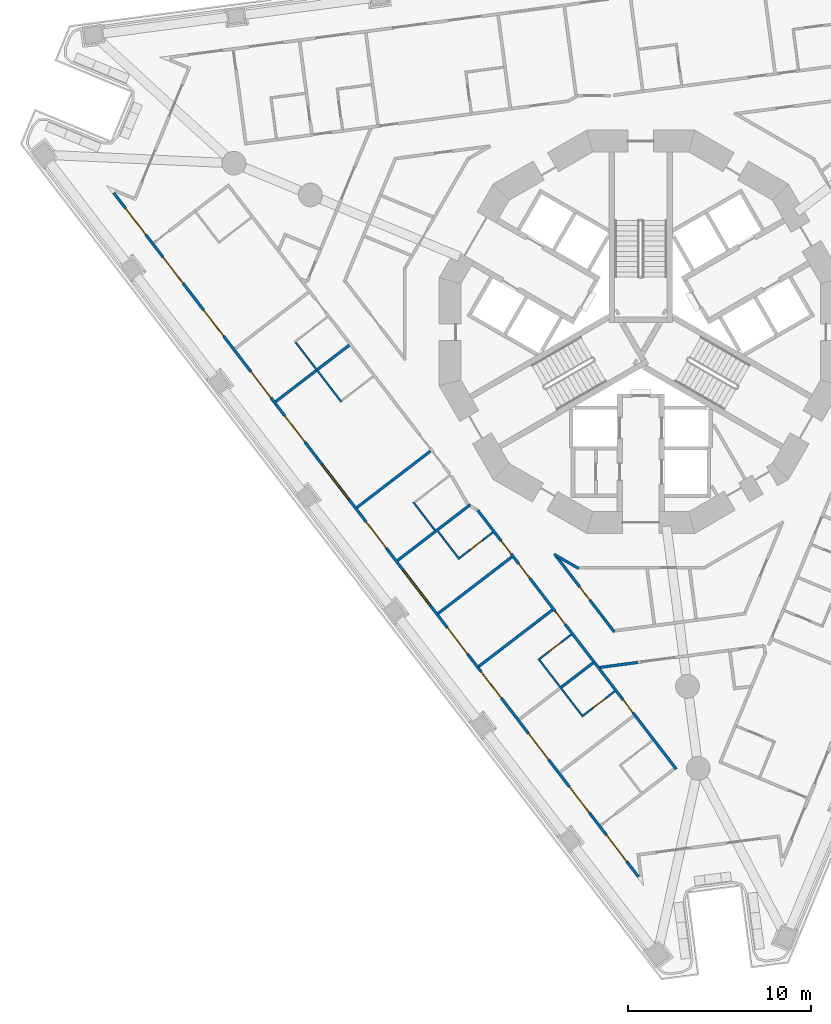
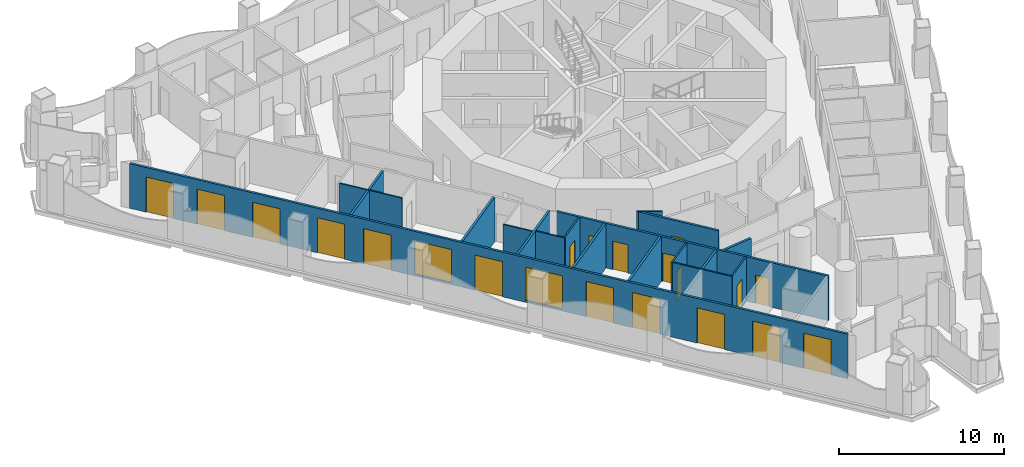
# One storey, part 2 of 19: 19 doors, 18 walls, 2 windows, 21 openings.
"""IFC4 building model written with IfcOpenShell, lengths in metres."""

from ifc_helpers import new_model, si_unit, direction, frame, frame_2d, origin, place, context, subcontext, project, spatial, polyline, rectangle, outline, extrude, material, layer, layer_set, type_object, element, fill, save


model = new_model("IFC4")

# Units and contexts
model_context = context("Model", 3, precision=1e-05, world=origin(), true_north=direction((0.0, 1.0)))
body_context = subcontext(model_context, "Body", "Model", "MODEL_VIEW")
ifc_project = project(units=[si_unit("LENGTHUNIT", "METRE"), si_unit("AREAUNIT", "SQUARE_METRE"), si_unit("VOLUMEUNIT", "CUBIC_METRE"), si_unit("PLANEANGLEUNIT", "RADIAN"), si_unit("MASSUNIT", "GRAM", prefix="KILO")], contexts=[model_context])

# Site, building, storey
site_placement = place(None, origin())
site = spatial("IfcSite", under=ifc_project, at=site_placement, CompositionType="ELEMENT")
building_placement = place(site_placement, origin())
building = spatial("IfcBuilding", under=site, at=building_placement, Name="Trine Commons Tower", CompositionType="ELEMENT")
storey_placement = place(building_placement, frame((0.0, 0.0, 72.0)))
storey = spatial("IfcBuildingStorey", under=building, at=storey_placement, Name="L17", CompositionType="ELEMENT", Elevation=72.0)

# Wall, openings, windows, doors
ifc_material_1 = material(Name="Aluminium-framed insulated wall panel", Category="aluminium")
ifc_layer_1 = layer(ifc_material_1, 0.14990234375)
ifc_layer_set_1 = layer_set([ifc_layer_1], Name="Aluminium-framed insulated wall panel")
wall_type_1 = type_object("IfcWallType", Name="Glazed frame wall 150, EI 60", PredefinedType="SOLIDWALL", material=ifc_layer_set_1)
wall_1_placement = place(storey_placement, frame((79.968994140625, 32.624267578125, 0.0), z_axis=(0.0, 0.0, 1.0), x_axis=(-0.608761526367, 0.793353265585, 0.0)))
wall_1 = element("IfcWall", 1, at=wall_1_placement, inside=storey, type_object=wall_type_1, Name="Glazed frame wall F3", PredefinedType="SOLIDWALL", context=body_context, shape_type="SweptSolid", body=[
    extrude(outline(polyline([(0.1494140625, 0.074951171875), (0.1494140625, -0.074951171875), (47.216796875, -0.074951171875), (47.216796875, 0.074951171875), (0.1494140625, 0.074951171875)])), origin(), (0.0, 0.0, 1.0), 3.300048828125),
])
opening_1_placement = place(wall_1_placement, frame((1.2216796875, 0.0, 0.0)))
opening_1 = element("IfcOpeningElement", 2, at=opening_1_placement, cuts=wall_1, Name="Opening BD-2F3-01", PredefinedType="OPENING", context=body_context, shape_type="SweptSolid", body=[
    extrude(rectangle(XDim=1.800048828125, YDim=2.60009765625, at=frame_2d((0.89990234375, 1.300048828125))), frame((0.0, 0.0849609375, 0.0), z_axis=(0.0, -1.0, 0.0), x_axis=(1.0, 0.0, 0.0)), (0.0, 0.0, 1.0), 0.169921875),
])
opening_2_placement = place(wall_1_placement, frame((4.5654296875, 0.0, 0.0)))
opening_2 = element("IfcOpeningElement", 3, at=opening_2_placement, cuts=wall_1, Name="Opening BD-2F3-02", PredefinedType="OPENING", context=body_context, shape_type="SweptSolid", body=[
    extrude(rectangle(XDim=1.800048828125, YDim=2.60009765625, at=frame_2d((0.89990234375, 1.300048828125))), frame((0.0, 0.0849609375, 0.0), z_axis=(0.0, -1.0, 0.0), x_axis=(1.0, 0.0, 0.0)), (0.0, 0.0, 1.0), 0.169921875),
])
opening_3_placement = place(wall_1_placement, frame((8.208984375, 0.0, 0.0)))
opening_3 = element("IfcOpeningElement", 4, at=opening_3_placement, cuts=wall_1, Name="Opening BD-2F3-03", PredefinedType="OPENING", context=body_context, shape_type="SweptSolid", body=[
    extrude(rectangle(XDim=1.800048828125, YDim=2.60009765625, at=frame_2d((0.89990234375, 1.300048828125))), frame((0.0, 0.0849609375, 0.0), z_axis=(0.0, -1.0, 0.0), x_axis=(1.0, 0.0, 0.0)), (0.0, 0.0, 1.0), 0.169921875),
])
opening_4_placement = place(wall_1_placement, frame((12.45263671875, 0.0, 0.0)))
opening_4 = element("IfcOpeningElement", 5, at=opening_4_placement, cuts=wall_1, Name="Opening BD-2F3-04", PredefinedType="OPENING", context=body_context, shape_type="SweptSolid", body=[
    extrude(rectangle(XDim=1.800048828125, YDim=2.60009765625, at=frame_2d((0.89990234375, 1.300048828125))), frame((0.0, 0.0849609375, 0.0), z_axis=(0.0, -1.0, 0.0), x_axis=(1.0, 0.0, 0.0)), (0.0, 0.0, 1.0), 0.169921875),
])
opening_5_placement = place(wall_1_placement, frame((15.49609375, 0.0, 0.0)))
opening_5 = element("IfcOpeningElement", 6, at=opening_5_placement, cuts=wall_1, Name="Opening BD-2F3-05", PredefinedType="OPENING", context=body_context, shape_type="SweptSolid", body=[
    extrude(rectangle(XDim=1.800048828125, YDim=2.60009765625, at=frame_2d((0.89990234375, 1.300048828125))), frame((0.0, 0.0849609375, 0.0), z_axis=(0.0, -1.0, 0.0), x_axis=(1.0, 0.0, 0.0)), (0.0, 0.0, 1.0), 0.169921875),
])
opening_6_placement = place(wall_1_placement, frame((18.83984375, 0.0, 0.14990234375)))
opening_6 = element("IfcOpeningElement", 7, at=opening_6_placement, cuts=wall_1, Name="Opening W-2F3-06", PredefinedType="OPENING", context=body_context, shape_type="SweptSolid", body=[
    extrude(rectangle(XDim=2.39990234375, YDim=2.449951171875, at=frame_2d((1.199951171875, 1.22509765625))), frame((0.0, 0.0849609375, 0.0), z_axis=(0.0, -1.0, 0.0), x_axis=(1.0, 0.0, 0.0)), (0.0, 0.0, 1.0), 0.169921875),
])
opening_7_placement = place(wall_1_placement, frame((22.783447265625, 0.0, 0.0)))
opening_7 = element("IfcOpeningElement", 8, at=opening_7_placement, cuts=wall_1, Name="Opening BD-2F3-07", PredefinedType="OPENING", context=body_context, shape_type="SweptSolid", body=[
    extrude(rectangle(XDim=1.800048828125, YDim=2.60009765625, at=frame_2d((0.89990234375, 1.300048828125))), frame((0.0, 0.0849609375, 0.0), z_axis=(0.0, -1.0, 0.0), x_axis=(1.0, 0.0, 0.0)), (0.0, 0.0, 1.0), 0.169921875),
])
opening_8_placement = place(wall_1_placement, frame((26.126953125, 0.0, 0.14990234375)))
opening_8 = element("IfcOpeningElement", 9, at=opening_8_placement, cuts=wall_1, Name="Opening W-2F3-08", PredefinedType="OPENING", context=body_context, shape_type="SweptSolid", body=[
    extrude(rectangle(XDim=2.39990234375, YDim=2.449951171875, at=frame_2d((1.199951171875, 1.22509765625))), frame((0.0, 0.0849609375, 0.0), z_axis=(0.0, -1.0, 0.0), x_axis=(1.0, 0.0, 0.0)), (0.0, 0.0, 1.0), 0.169921875),
])
opening_9_placement = place(wall_1_placement, frame((30.070556640625, 0.0, 0.0)))
opening_9 = element("IfcOpeningElement", 10, at=opening_9_placement, cuts=wall_1, Name="Opening BD-2F3-09", PredefinedType="OPENING", context=body_context, shape_type="SweptSolid", body=[
    extrude(rectangle(XDim=1.800048828125, YDim=2.60009765625, at=frame_2d((0.89990234375, 1.300048828125))), frame((0.0, 0.0849609375, 0.0), z_axis=(0.0, -1.0, 0.0), x_axis=(1.0, 0.0, 0.0)), (0.0, 0.0, 1.0), 0.169921875),
])
opening_10_placement = place(wall_1_placement, frame((33.1142578125, 0.0, 0.0)))
opening_10 = element("IfcOpeningElement", 11, at=opening_10_placement, cuts=wall_1, Name="Opening BD-2F3-10", PredefinedType="OPENING", context=body_context, shape_type="SweptSolid", body=[
    extrude(rectangle(XDim=1.800048828125, YDim=2.60009765625, at=frame_2d((0.89990234375, 1.300048828125))), frame((0.0, 0.0849609375, 0.0), z_axis=(0.0, -1.0, 0.0), x_axis=(1.0, 0.0, 0.0)), (0.0, 0.0, 1.0), 0.169921875),
])
opening_11_placement = place(wall_1_placement, frame((37.35791015625, 0.0, 0.0)))
opening_11 = element("IfcOpeningElement", 12, at=opening_11_placement, cuts=wall_1, Name="Opening BD-2F3-11", PredefinedType="OPENING", context=body_context, shape_type="SweptSolid", body=[
    extrude(rectangle(XDim=1.800048828125, YDim=2.60009765625, at=frame_2d((0.89990234375, 1.300048828125))), frame((0.0, 0.0849609375, 0.0), z_axis=(0.0, -1.0, 0.0), x_axis=(1.0, 0.0, 0.0)), (0.0, 0.0, 1.0), 0.169921875),
])
opening_12_placement = place(wall_1_placement, frame((41.00146484375, 0.0, 0.0)))
opening_12 = element("IfcOpeningElement", 13, at=opening_12_placement, cuts=wall_1, Name="Opening BD-2F3-12", PredefinedType="OPENING", context=body_context, shape_type="SweptSolid", body=[
    extrude(rectangle(XDim=1.800048828125, YDim=2.60009765625, at=frame_2d((0.89990234375, 1.300048828125))), frame((0.0, 0.0849609375, 0.0), z_axis=(0.0, -1.0, 0.0), x_axis=(1.0, 0.0, 0.0)), (0.0, 0.0, 1.0), 0.169921875),
])
opening_13_placement = place(wall_1_placement, frame((44.344970703125, 0.0, 0.0)))
opening_13 = element("IfcOpeningElement", 14, at=opening_13_placement, cuts=wall_1, Name="Opening BD-2F3-13", PredefinedType="OPENING", context=body_context, shape_type="SweptSolid", body=[
    extrude(rectangle(XDim=1.800048828125, YDim=2.60009765625, at=frame_2d((0.89990234375, 1.300048828125))), frame((0.0, 0.0849609375, 0.0), z_axis=(0.0, -1.0, 0.0), x_axis=(1.0, 0.0, 0.0)), (0.0, 0.0, 1.0), 0.169921875),
])
ifc_material_2 = material(Name="Anodised aluminium frame with double glazing", Category="aluminium")
window_type = type_object("IfcWindowType", Name="Fixed window 2400x2450", PartitioningType="SINGLE_PANEL", PredefinedType="WINDOW", material=ifc_material_2)
window_1_placement = place(opening_6_placement, origin())
window_1 = element("IfcWindow", 15, at=window_1_placement, inside=storey, type_object=window_type, Name="Window F3 6", OverallHeight=2.449951171875, OverallWidth=2.39990234375, PartitioningType="SINGLE_PANEL", PredefinedType="WINDOW", context=body_context, shape_type="SweptSolid", body=[
    extrude(rectangle(XDim=2.39990234375, YDim=2.449951171875, at=frame_2d((1.199951171875, 1.22509765625))), frame((0.0, 0.030029296875, 0.0), z_axis=(0.0, -1.0, 0.0), x_axis=(1.0, 0.0, 0.0)), (0.0, 0.0, 1.0), 0.06005859375),
])
fill(opening_6, window_1)
window_2_placement = place(opening_8_placement, origin())
window_2 = element("IfcWindow", 16, at=window_2_placement, inside=storey, type_object=window_type, Name="Window F3 8", OverallHeight=2.449951171875, OverallWidth=2.39990234375, PartitioningType="SINGLE_PANEL", PredefinedType="WINDOW", context=body_context, shape_type="SweptSolid", body=[
    extrude(rectangle(XDim=2.39990234375, YDim=2.449951171875, at=frame_2d((1.199951171875, 1.22509765625))), frame((0.0, 0.030029296875, 0.0), z_axis=(0.0, -1.0, 0.0), x_axis=(1.0, 0.0, 0.0)), (0.0, 0.0, 1.0), 0.06005859375),
])
fill(opening_8, window_2)
door_type_1 = type_object("IfcDoorType", Name="Sliding loggia door 1800x2600", OperationType="SLIDING_TO_LEFT", PredefinedType="DOOR", material=ifc_material_2)
door_1_placement = place(opening_1_placement, origin())
door_1 = element("IfcDoor", 17, at=door_1_placement, inside=storey, type_object=door_type_1, Name="Loggia door F3 1", OperationType="SLIDING_TO_LEFT", OverallHeight=2.60009765625, OverallWidth=1.800048828125, PredefinedType="DOOR", context=body_context, shape_type="SweptSolid", body=[
    extrude(rectangle(XDim=1.800048828125, YDim=2.60009765625, at=frame_2d((0.89990234375, 1.300048828125))), frame((0.0, 0.02490234375, 0.0), z_axis=(0.0, -1.0, 0.0), x_axis=(1.0, 0.0, 0.0)), (0.0, 0.0, 1.0), 0.050048828125),
])
fill(opening_1, door_1)
door_2_placement = place(opening_2_placement, origin())
door_2 = element("IfcDoor", 18, at=door_2_placement, inside=storey, type_object=door_type_1, Name="Loggia door F3 2", OperationType="SLIDING_TO_LEFT", OverallHeight=2.60009765625, OverallWidth=1.800048828125, PredefinedType="DOOR", context=body_context, shape_type="SweptSolid", body=[
    extrude(rectangle(XDim=1.800048828125, YDim=2.60009765625, at=frame_2d((0.89990234375, 1.300048828125))), frame((0.0, 0.02490234375, 0.0), z_axis=(0.0, -1.0, 0.0), x_axis=(1.0, 0.0, 0.0)), (0.0, 0.0, 1.0), 0.050048828125),
])
fill(opening_2, door_2)
door_3_placement = place(opening_3_placement, origin())
door_3 = element("IfcDoor", 19, at=door_3_placement, inside=storey, type_object=door_type_1, Name="Loggia door F3 3", OperationType="SLIDING_TO_LEFT", OverallHeight=2.60009765625, OverallWidth=1.800048828125, PredefinedType="DOOR", context=body_context, shape_type="SweptSolid", body=[
    extrude(rectangle(XDim=1.800048828125, YDim=2.60009765625, at=frame_2d((0.89990234375, 1.300048828125))), frame((0.0, 0.02490234375, 0.0), z_axis=(0.0, -1.0, 0.0), x_axis=(1.0, 0.0, 0.0)), (0.0, 0.0, 1.0), 0.050048828125),
])
fill(opening_3, door_3)
door_4_placement = place(opening_4_placement, origin())
door_4 = element("IfcDoor", 20, at=door_4_placement, inside=storey, type_object=door_type_1, Name="Loggia door F3 4", OperationType="SLIDING_TO_LEFT", OverallHeight=2.60009765625, OverallWidth=1.800048828125, PredefinedType="DOOR", context=body_context, shape_type="SweptSolid", body=[
    extrude(rectangle(XDim=1.800048828125, YDim=2.60009765625, at=frame_2d((0.89990234375, 1.300048828125))), frame((0.0, 0.02490234375, 0.0), z_axis=(0.0, -1.0, 0.0), x_axis=(1.0, 0.0, 0.0)), (0.0, 0.0, 1.0), 0.050048828125),
])
fill(opening_4, door_4)
door_5_placement = place(opening_5_placement, origin())
door_5 = element("IfcDoor", 21, at=door_5_placement, inside=storey, type_object=door_type_1, Name="Loggia door F3 5", OperationType="SLIDING_TO_LEFT", OverallHeight=2.60009765625, OverallWidth=1.800048828125, PredefinedType="DOOR", context=body_context, shape_type="SweptSolid", body=[
    extrude(rectangle(XDim=1.800048828125, YDim=2.60009765625, at=frame_2d((0.89990234375, 1.300048828125))), frame((0.0, 0.02490234375, 0.0), z_axis=(0.0, -1.0, 0.0), x_axis=(1.0, 0.0, 0.0)), (0.0, 0.0, 1.0), 0.050048828125),
])
fill(opening_5, door_5)
door_6_placement = place(opening_7_placement, origin())
door_6 = element("IfcDoor", 22, at=door_6_placement, inside=storey, type_object=door_type_1, Name="Loggia door F3 7", OperationType="SLIDING_TO_LEFT", OverallHeight=2.60009765625, OverallWidth=1.800048828125, PredefinedType="DOOR", context=body_context, shape_type="SweptSolid", body=[
    extrude(rectangle(XDim=1.800048828125, YDim=2.60009765625, at=frame_2d((0.89990234375, 1.300048828125))), frame((0.0, 0.02490234375, 0.0), z_axis=(0.0, -1.0, 0.0), x_axis=(1.0, 0.0, 0.0)), (0.0, 0.0, 1.0), 0.050048828125),
])
fill(opening_7, door_6)
door_7_placement = place(opening_9_placement, origin())
door_7 = element("IfcDoor", 23, at=door_7_placement, inside=storey, type_object=door_type_1, Name="Loggia door F3 9", OperationType="SLIDING_TO_LEFT", OverallHeight=2.60009765625, OverallWidth=1.800048828125, PredefinedType="DOOR", context=body_context, shape_type="SweptSolid", body=[
    extrude(rectangle(XDim=1.800048828125, YDim=2.60009765625, at=frame_2d((0.89990234375, 1.300048828125))), frame((0.0, 0.02490234375, 0.0), z_axis=(0.0, -1.0, 0.0), x_axis=(1.0, 0.0, 0.0)), (0.0, 0.0, 1.0), 0.050048828125),
])
fill(opening_9, door_7)
door_8_placement = place(opening_10_placement, origin())
door_8 = element("IfcDoor", 24, at=door_8_placement, inside=storey, type_object=door_type_1, Name="Loggia door F3 10", OperationType="SLIDING_TO_LEFT", OverallHeight=2.60009765625, OverallWidth=1.800048828125, PredefinedType="DOOR", context=body_context, shape_type="SweptSolid", body=[
    extrude(rectangle(XDim=1.800048828125, YDim=2.60009765625, at=frame_2d((0.89990234375, 1.300048828125))), frame((0.0, 0.02490234375, 0.0), z_axis=(0.0, -1.0, 0.0), x_axis=(1.0, 0.0, 0.0)), (0.0, 0.0, 1.0), 0.050048828125),
])
fill(opening_10, door_8)
door_9_placement = place(opening_11_placement, origin())
door_9 = element("IfcDoor", 25, at=door_9_placement, inside=storey, type_object=door_type_1, Name="Loggia door F3 11", OperationType="SLIDING_TO_LEFT", OverallHeight=2.60009765625, OverallWidth=1.800048828125, PredefinedType="DOOR", context=body_context, shape_type="SweptSolid", body=[
    extrude(rectangle(XDim=1.800048828125, YDim=2.60009765625, at=frame_2d((0.89990234375, 1.300048828125))), frame((0.0, 0.02490234375, 0.0), z_axis=(0.0, -1.0, 0.0), x_axis=(1.0, 0.0, 0.0)), (0.0, 0.0, 1.0), 0.050048828125),
])
fill(opening_11, door_9)
door_10_placement = place(opening_12_placement, origin())
door_10 = element("IfcDoor", 26, at=door_10_placement, inside=storey, type_object=door_type_1, Name="Loggia door F3 12", OperationType="SLIDING_TO_LEFT", OverallHeight=2.60009765625, OverallWidth=1.800048828125, PredefinedType="DOOR", context=body_context, shape_type="SweptSolid", body=[
    extrude(rectangle(XDim=1.800048828125, YDim=2.60009765625, at=frame_2d((0.89990234375, 1.300048828125))), frame((0.0, 0.02490234375, 0.0), z_axis=(0.0, -1.0, 0.0), x_axis=(1.0, 0.0, 0.0)), (0.0, 0.0, 1.0), 0.050048828125),
])
fill(opening_12, door_10)
door_11_placement = place(opening_13_placement, origin())
door_11 = element("IfcDoor", 27, at=door_11_placement, inside=storey, type_object=door_type_1, Name="Loggia door F3 13", OperationType="SLIDING_TO_LEFT", OverallHeight=2.60009765625, OverallWidth=1.800048828125, PredefinedType="DOOR", context=body_context, shape_type="SweptSolid", body=[
    extrude(rectangle(XDim=1.800048828125, YDim=2.60009765625, at=frame_2d((0.89990234375, 1.300048828125))), frame((0.0, 0.02490234375, 0.0), z_axis=(0.0, -1.0, 0.0), x_axis=(1.0, 0.0, 0.0)), (0.0, 0.0, 1.0), 0.050048828125),
])
fill(opening_13, door_11)

# Walls
ifc_material_3 = material(Name="Gypsum plasterboard on steel stud", Category="steel")
ifc_layer_2 = layer(ifc_material_3, 0.14990234375)
ifc_layer_set_2 = layer_set([ifc_layer_2], Name="Gypsum plasterboard on steel stud")
wall_type_2 = type_object("IfcWallType", Name="Unit and corridor wall 150 mm, EI 60", PredefinedType="PARTITIONING", material=ifc_layer_set_2)
wall_2_placement = place(storey_placement, frame((60.065673828125, 58.686279296875, 0.0), z_axis=(0.0, 0.0, 1.0), x_axis=(0.793444149255, 0.608643066184, 0.0)))
element("IfcWall", 28, at=wall_2_placement, inside=storey, type_object=wall_type_2, Name="Partition 011", PredefinedType="PARTITIONING", context=body_context, shape_type="SweptSolid", body=[
    extrude(rectangle(XDim=5.063720703125, YDim=0.14990234375, at=frame_2d((2.53173828125, 0.0))), origin(), (0.0, 0.0, 1.0), 3.300048828125),
])
wall_3_placement = place(storey_placement, frame((64.501708984375, 52.904296875, 0.0), z_axis=(0.0, 0.0, 1.0), x_axis=(0.793351017656, 0.608764455913, 0.0)))
element("IfcWall", 29, at=wall_3_placement, inside=storey, type_object=wall_type_2, Name="Partition 030", PredefinedType="PARTITIONING", context=body_context, shape_type="SweptSolid", body=[
    extrude(rectangle(XDim=5.064453125, YDim=0.14990234375, at=frame_2d((2.5322265625, 0.0))), origin(), (0.0, 0.0, 1.0), 3.300048828125),
])
wall_4_placement = place(storey_placement, frame((66.7197265625, 50.014404296875, 0.0), z_axis=(0.0, 0.0, 1.0), x_axis=(0.793383103562, 0.608722638796, 0.0)))
element("IfcWall", 30, at=wall_4_placement, inside=storey, type_object=wall_type_2, Name="Partition 038", PredefinedType="PARTITIONING", context=body_context, shape_type="SweptSolid", body=[
    extrude(rectangle(XDim=5.017333984375, YDim=0.14990234375, at=frame_2d((2.5087890625, 0.0))), origin(), (0.0, 0.0, 1.0), 3.300048828125),
])
wall_5_placement = place(storey_placement, frame((68.937744140625, 47.123291015625, 0.0), z_axis=(0.0, 0.0, 1.0), x_axis=(0.793351017656, 0.608764455913, 0.0)))
element("IfcWall", 31, at=wall_5_placement, inside=storey, type_object=wall_type_2, Name="Partition 046", PredefinedType="PARTITIONING", context=body_context, shape_type="SweptSolid", body=[
    extrude(rectangle(XDim=5.064453125, YDim=0.14990234375, at=frame_2d((2.5322265625, 0.0))), origin(), (0.0, 0.0, 1.0), 3.300048828125),
])

# Wall, openings, doors
wall_6_placement = place(storey_placement, frame((71.087890625, 52.76611328125, 0.0), z_axis=(0.0, 0.0, 1.0), x_axis=(0.608663951432, -0.793428127953, 0.0)))
wall_6 = element("IfcWall", 32, at=wall_6_placement, inside=storey, type_object=wall_type_2, Name="Partition 054", PredefinedType="PARTITIONING", context=body_context, shape_type="SweptSolid", body=[
    extrude(rectangle(XDim=17.8173828125, YDim=0.14990234375, at=frame_2d((8.90869140625, 0.0))), origin(), (0.0, 0.0, 1.0), 3.300048828125),
])
opening_14_placement = place(wall_6_placement, frame((13.048095703125, 0.0, 0.0)))
opening_14 = element("IfcOpeningElement", 33, at=opening_14_placement, cuts=wall_6, Name="Opening D-2C25", PredefinedType="OPENING", context=body_context, shape_type="SweptSolid", body=[
    extrude(rectangle(XDim=0.89990234375, YDim=2.10009765625, at=frame_2d((0.449951171875, 1.050048828125))), frame((0.0, 0.0849609375, 0.0), z_axis=(0.0, -1.0, 0.0), x_axis=(1.0, 0.0, 0.0)), (0.0, 0.0, 1.0), 0.169921875),
])
opening_15_placement = place(wall_6_placement, frame((6.96142578125, 0.0, 0.0)))
opening_15 = element("IfcOpeningElement", 34, at=opening_15_placement, cuts=wall_6, Name="Opening D-2C26", PredefinedType="OPENING", context=body_context, shape_type="SweptSolid", body=[
    extrude(rectangle(XDim=0.89990234375, YDim=2.10009765625, at=frame_2d((0.449951171875, 1.050048828125))), frame((0.0, 0.0849609375, 0.0), z_axis=(0.0, -1.0, 0.0), x_axis=(1.0, 0.0, 0.0)), (0.0, 0.0, 1.0), 0.169921875),
])
opening_16_placement = place(wall_6_placement, frame((3.68603515625, 0.0, 0.0)))
opening_16 = element("IfcOpeningElement", 35, at=opening_16_placement, cuts=wall_6, Name="Opening D-2C27", PredefinedType="OPENING", context=body_context, shape_type="SweptSolid", body=[
    extrude(rectangle(XDim=1.0, YDim=2.10009765625, at=frame_2d((0.5, 1.050048828125))), frame((0.0, 0.0849609375, 0.0), z_axis=(0.0, -1.0, 0.0), x_axis=(1.0, 0.0, 0.0)), (0.0, 0.0, 1.0), 0.169921875),
])
opening_17_placement = place(wall_6_placement, frame((2.11767578125, 0.0, 0.0)))
opening_17 = element("IfcOpeningElement", 36, at=opening_17_placement, cuts=wall_6, Name="Opening D-2C28", PredefinedType="OPENING", context=body_context, shape_type="SweptSolid", body=[
    extrude(rectangle(XDim=0.89990234375, YDim=2.10009765625, at=frame_2d((0.449951171875, 1.050048828125))), frame((0.0, 0.0849609375, 0.0), z_axis=(0.0, -1.0, 0.0), x_axis=(1.0, 0.0, 0.0)), (0.0, 0.0, 1.0), 0.169921875),
])
ifc_material_4 = material(Name="Painted timber", Category="wood")
door_type_2 = type_object("IfcDoorType", Name="Amenity room door 1000 x 2100, NOT RATED", OperationType="NOTDEFINED", PredefinedType="DOOR", material=ifc_material_4)
door_12_placement = place(opening_16_placement, frame((1.0, 0.0, 0.0), z_axis=(0.0, 0.0, 1.0), x_axis=(-1.0, 0.0, 0.0)))
door_12 = element("IfcDoor", 37, at=door_12_placement, inside=storey, type_object=door_type_2, Name="Door D-2C27", OperationType="SINGLE_SWING_RIGHT", OverallHeight=2.10009765625, OverallWidth=1.0, PredefinedType="DOOR", context=body_context, shape_type="SweptSolid", body=[
    extrude(rectangle(XDim=1.0, YDim=2.10009765625, at=frame_2d((0.5, 1.050048828125))), frame((0.0, 0.02490234375, 0.0), z_axis=(0.0, -1.0, 0.0), x_axis=(1.0, 0.0, 0.0)), (0.0, 0.0, 1.0), 0.050048828125),
])
fill(opening_16, door_12)
ifc_material_5 = material(Name="Timber fire door set", Category="wood")
door_type_3 = type_object("IfcDoorType", Name="Bedroom door 900 x 2100, FD30S", OperationType="NOTDEFINED", PredefinedType="DOOR", material=ifc_material_5)
door_13_placement = place(opening_14_placement, frame((0.89990234375, 0.0, 0.0), z_axis=(0.0, 0.0, 1.0), x_axis=(-1.0, 0.0, 0.0)))
door_13 = element("IfcDoor", 38, at=door_13_placement, inside=storey, type_object=door_type_3, Name="Door D-2C25", OperationType="SINGLE_SWING_LEFT", OverallHeight=2.10009765625, OverallWidth=0.89990234375, PredefinedType="DOOR", context=body_context, shape_type="SweptSolid", body=[
    extrude(rectangle(XDim=0.89990234375, YDim=2.10009765625, at=frame_2d((0.449951171875, 1.050048828125))), frame((0.0, 0.02490234375, 0.0), z_axis=(0.0, -1.0, 0.0), x_axis=(1.0, 0.0, 0.0)), (0.0, 0.0, 1.0), 0.050048828125),
])
fill(opening_14, door_13)
door_14_placement = place(opening_15_placement, frame((0.89990234375, 0.0, 0.0), z_axis=(0.0, 0.0, 1.0), x_axis=(-1.0, 0.0, 0.0)))
door_14 = element("IfcDoor", 39, at=door_14_placement, inside=storey, type_object=door_type_3, Name="Door D-2C26", OperationType="SINGLE_SWING_RIGHT", OverallHeight=2.10009765625, OverallWidth=0.89990234375, PredefinedType="DOOR", context=body_context, shape_type="SweptSolid", body=[
    extrude(rectangle(XDim=0.89990234375, YDim=2.10009765625, at=frame_2d((0.449951171875, 1.050048828125))), frame((0.0, 0.02490234375, 0.0), z_axis=(0.0, -1.0, 0.0), x_axis=(1.0, 0.0, 0.0)), (0.0, 0.0, 1.0), 0.050048828125),
])
fill(opening_15, door_14)
door_15_placement = place(opening_17_placement, frame((0.89990234375, 0.0, 0.0), z_axis=(0.0, 0.0, 1.0), x_axis=(-1.0, 0.0, 0.0)))
door_15 = element("IfcDoor", 40, at=door_15_placement, inside=storey, type_object=door_type_3, Name="Door D-2C28", OperationType="SINGLE_SWING_RIGHT", OverallHeight=2.10009765625, OverallWidth=0.89990234375, PredefinedType="DOOR", context=body_context, shape_type="SweptSolid", body=[
    extrude(rectangle(XDim=0.89990234375, YDim=2.10009765625, at=frame_2d((0.449951171875, 1.050048828125))), frame((0.0, 0.02490234375, 0.0), z_axis=(0.0, -1.0, 0.0), x_axis=(1.0, 0.0, 0.0)), (0.0, 0.0, 1.0), 0.050048828125),
])
fill(opening_17, door_15)

# Walls
wall_7_placement = place(storey_placement, frame((71.15576171875, 44.232421875, 0.0), z_axis=(0.0, 0.0, 1.0), x_axis=(0.793374300247, 0.608734112488, 0.0)))
element("IfcWall", 41, at=wall_7_placement, inside=storey, type_object=wall_type_2, Name="Partition 055", PredefinedType="PARTITIONING", context=body_context, shape_type="SweptSolid", body=[
    extrude(rectangle(XDim=5.064208984375, YDim=0.14990234375, at=frame_2d((2.5322265625, 0.0))), origin(), (0.0, 0.0, 1.0), 3.300048828125),
])
wall_8_placement = place(storey_placement, frame((75.260986328125, 50.35546875, 0.0), z_axis=(0.0, 0.0, 1.0), x_axis=(0.866029224906, -0.499993381564, 0.0)))
element("IfcWall", 42, at=wall_8_placement, inside=storey, type_object=wall_type_2, Name="Partition 062", PredefinedType="PARTITIONING", context=body_context, shape_type="SweptSolid", body=[
    extrude(rectangle(XDim=1.56005859375, YDim=0.14990234375, at=frame_2d((0.780029296875, 0.0))), origin(), (0.0, 0.0, 1.0), 3.300048828125),
])

# Wall, opening, door
wall_9_placement = place(storey_placement, frame((75.373779296875, 50.257568359375, 0.0), z_axis=(0.0, 0.0, 1.0), x_axis=(0.608769592338, -0.793347076282, 0.0)))
wall_9 = element("IfcWall", 43, at=wall_9_placement, inside=storey, type_object=wall_type_2, Name="Partition 063", PredefinedType="PARTITIONING", context=body_context, shape_type="SweptSolid", body=[
    extrude(rectangle(XDim=5.22998046875, YDim=0.14990234375, at=frame_2d((2.614990234375, 0.0))), origin(), (0.0, 0.0, 1.0), 3.300048828125),
])
opening_18_placement = place(wall_9_placement, frame((2.12744140625, 0.0, 0.0)))
opening_18 = element("IfcOpeningElement", 44, at=opening_18_placement, cuts=wall_9, Name="Opening D-2C37", PredefinedType="OPENING", context=body_context, shape_type="SweptSolid", body=[
    extrude(rectangle(XDim=0.89990234375, YDim=2.10009765625, at=frame_2d((0.449951171875, 1.050048828125))), frame((0.0, 0.0849609375, 0.0), z_axis=(0.0, -1.0, 0.0), x_axis=(1.0, 0.0, 0.0)), (0.0, 0.0, 1.0), 0.169921875),
])
door_type_4 = type_object("IfcDoorType", Name="Service door 900 x 2100, FD30S", OperationType="NOTDEFINED", PredefinedType="DOOR", material=ifc_material_5)
door_16_placement = place(opening_18_placement, origin())
door_16 = element("IfcDoor", 45, at=door_16_placement, inside=storey, type_object=door_type_4, Name="Door D-2C37", OperationType="SINGLE_SWING_LEFT", OverallHeight=2.10009765625, OverallWidth=0.89990234375, PredefinedType="DOOR", context=body_context, shape_type="SweptSolid", body=[
    extrude(rectangle(XDim=0.89990234375, YDim=2.10009765625, at=frame_2d((0.449951171875, 1.050048828125))), frame((0.0, 0.02490234375, 0.0), z_axis=(0.0, -1.0, 0.0), x_axis=(1.0, 0.0, 0.0)), (0.0, 0.0, 1.0), 0.050048828125),
])
fill(opening_18, door_16)

# Walls
wall_10_placement = place(storey_placement, frame((75.666748046875, 43.100341796875, 0.0), z_axis=(0.0, 0.0, 1.0), x_axis=(0.793253832781, 0.608891087781, 0.0)))
element("IfcWall", 46, at=wall_10_placement, inside=storey, type_object=wall_type_2, Name="Partition 065", PredefinedType="PARTITIONING", context=body_context, shape_type="SweptSolid", body=[
    extrude(rectangle(XDim=2.17431640625, YDim=0.14990234375, at=frame_2d((1.087158203125, 0.0))), origin(), (0.0, 0.0, 1.0), 3.300048828125),
])
wall_11_placement = place(storey_placement, frame((77.75732421875, 44.177734375, 0.0), z_axis=(0.0, 0.0, 1.0), x_axis=(0.99142565409, 0.130672003172, 0.0)))
element("IfcWall", 47, at=wall_11_placement, inside=storey, type_object=wall_type_2, Name="Partition 071", PredefinedType="PARTITIONING", context=body_context, shape_type="SweptSolid", body=[
    extrude(rectangle(XDim=2.090576171875, YDim=0.14990234375, at=frame_2d((1.04541015625, 0.0))), origin(), (0.0, 0.0, 1.0), 3.300048828125),
])
ifc_layer_3 = layer(ifc_material_3, 0.10009765625)
ifc_layer_set_3 = layer_set([ifc_layer_3], Name="Gypsum plasterboard on steel stud")
wall_type_3 = type_object("IfcWallType", Name="Unit partition 100 mm, no rating", PredefinedType="PARTITIONING", material=ifc_layer_set_3)
wall_12_placement = place(storey_placement, frame((61.161376953125, 61.92138671875, 0.0), z_axis=(0.0, 0.0, 1.0), x_axis=(0.608737740177, -0.793371516809, 0.0)))
element("IfcWall", 48, at=wall_12_placement, inside=storey, type_object=wall_type_3, Name="Partition 016", PredefinedType="PARTITIONING", context=body_context, shape_type="SweptSolid", body=[
    extrude(rectangle(XDim=4.100341796875, YDim=0.10009765625, at=frame_2d((2.05029296875, 0.0))), origin(), (0.0, 0.0, 1.0), 3.300048828125),
])
wall_13_placement = place(storey_placement, frame((67.584716796875, 53.19873046875, 0.0), z_axis=(0.0, 0.0, 1.0), x_axis=(0.608404928037, -0.793626765892, 0.0)))
element("IfcWall", 49, at=wall_13_placement, inside=storey, type_object=wall_type_3, Name="Partition 042", PredefinedType="PARTITIONING", context=body_context, shape_type="SweptSolid", body=[
    extrude(rectangle(XDim=1.92578125, YDim=0.10009765625, at=frame_2d((0.962890625, 0.0))), origin(), (0.0, 0.0, 1.0), 3.300048828125),
])
wall_14_placement = place(storey_placement, frame((68.9248046875, 51.611572265625, 0.0), z_axis=(0.0, 0.0, 1.0), x_axis=(0.608649853766, -0.793438942522, 0.0)))
element("IfcWall", 50, at=wall_14_placement, inside=storey, type_object=wall_type_3, Name="Partition 045", PredefinedType="PARTITIONING", context=body_context, shape_type="SweptSolid", body=[
    extrude(rectangle(XDim=1.925048828125, YDim=0.10009765625, at=frame_2d((0.96240234375, 0.0))), origin(), (0.0, 0.0, 1.0), 3.300048828125),
])

# Wall, opening, door
wall_15_placement = place(storey_placement, frame((70.105712890625, 50.154296875, 0.0), z_axis=(0.0, 0.0, 1.0), x_axis=(0.793486347076, 0.608588051972, 0.0)))
wall_15 = element("IfcWall", 51, at=wall_15_placement, inside=storey, type_object=wall_type_3, Name="Partition 048", PredefinedType="PARTITIONING", context=body_context, shape_type="SweptSolid", body=[
    extrude(rectangle(XDim=2.292236328125, YDim=0.10009765625, at=frame_2d((1.14599609375, 0.0))), origin(), (0.0, 0.0, 1.0), 3.300048828125),
])
opening_19_placement = place(wall_15_placement, frame((0.74609375, 0.0, 0.0)))
opening_19 = element("IfcOpeningElement", 52, at=opening_19_placement, cuts=wall_15, Name="Opening D-2C60", PredefinedType="OPENING", context=body_context, shape_type="SweptSolid", body=[
    extrude(rectangle(XDim=0.800048828125, YDim=2.10009765625, at=frame_2d((0.39990234375, 1.050048828125))), frame((0.0, 0.06005859375, 0.0), z_axis=(0.0, -1.0, 0.0), x_axis=(1.0, 0.0, 0.0)), (0.0, 0.0, 1.0), 0.1201171875),
])
door_type_5 = type_object("IfcDoorType", Name="Internal door 800 x 2100, NOT RATED", OperationType="NOTDEFINED", PredefinedType="DOOR", material=ifc_material_4)
door_17_placement = place(opening_19_placement, frame((0.800048828125, 0.0, 0.0), z_axis=(0.0, 0.0, 1.0), x_axis=(-1.0, 0.0, 0.0)))
door_17 = element("IfcDoor", 53, at=door_17_placement, inside=storey, type_object=door_type_5, Name="Door D-2C60", OperationType="SINGLE_SWING_LEFT", OverallHeight=2.10009765625, OverallWidth=0.800048828125, PredefinedType="DOOR", context=body_context, shape_type="SweptSolid", body=[
    extrude(rectangle(XDim=0.800048828125, YDim=2.10009765625, at=frame_2d((0.39990234375, 1.050048828125))), frame((0.0, 0.02490234375, 0.0), z_axis=(0.0, -1.0, 0.0), x_axis=(1.0, 0.0, 0.0)), (0.0, 0.0, 1.0), 0.050048828125),
])
fill(opening_19, door_17)

wall_16_placement = place(storey_placement, frame((74.3994140625, 44.586669921875, 0.0), z_axis=(0.0, 0.0, 1.0), x_axis=(0.793437070432, 0.608652294224, 0.0)))
wall_16 = element("IfcWall", 54, at=wall_16_placement, inside=storey, type_object=wall_type_3, Name="Partition 060", PredefinedType="PARTITIONING", context=body_context, shape_type="SweptSolid", body=[
    extrude(rectangle(XDim=2.275146484375, YDim=0.10009765625, at=frame_2d((1.1376953125, 0.0))), origin(), (0.0, 0.0, 1.0), 3.300048828125),
])
opening_20_placement = place(wall_16_placement, frame((0.762451171875, 0.0, 0.0)))
opening_20 = element("IfcOpeningElement", 55, at=opening_20_placement, cuts=wall_16, Name="Opening D-2C59", PredefinedType="OPENING", context=body_context, shape_type="SweptSolid", body=[
    extrude(rectangle(XDim=0.800048828125, YDim=2.10009765625, at=frame_2d((0.39990234375, 1.050048828125))), frame((0.0, 0.06005859375, 0.0), z_axis=(0.0, -1.0, 0.0), x_axis=(1.0, 0.0, 0.0)), (0.0, 0.0, 1.0), 0.1201171875),
])
door_18_placement = place(opening_20_placement, origin())
door_18 = element("IfcDoor", 56, at=door_18_placement, inside=storey, type_object=door_type_5, Name="Door D-2C59", OperationType="SINGLE_SWING_RIGHT", OverallHeight=2.10009765625, OverallWidth=0.800048828125, PredefinedType="DOOR", context=body_context, shape_type="SweptSolid", body=[
    extrude(rectangle(XDim=0.800048828125, YDim=2.10009765625, at=frame_2d((0.39990234375, 1.050048828125))), frame((0.0, 0.02490234375, 0.0), z_axis=(0.0, -1.0, 0.0), x_axis=(1.0, 0.0, 0.0)), (0.0, 0.0, 1.0), 0.050048828125),
])
fill(opening_20, door_18)

# Wall
wall_17_placement = place(storey_placement, frame((74.469482421875, 44.577392578125, 0.0), z_axis=(0.0, 0.0, 1.0), x_axis=(0.608905811043, -0.793242531183, 0.0)))
element("IfcWall", 57, at=wall_17_placement, inside=storey, type_object=wall_type_3, Name="Partition 061", PredefinedType="PARTITIONING", context=body_context, shape_type="SweptSolid", body=[
    extrude(rectangle(XDim=3.900390625, YDim=0.10009765625, at=frame_2d((1.9501953125, 0.0))), origin(), (0.0, 0.0, 1.0), 3.300048828125),
])

# Wall, opening, door
wall_18_placement = place(storey_placement, frame((76.853759765625, 41.553466796875, 0.0), z_axis=(0.0, 0.0, 1.0), x_axis=(0.793308064866, 0.608820428549, 0.0)))
wall_18 = element("IfcWall", 58, at=wall_18_placement, inside=storey, type_object=wall_type_3, Name="Partition 070", PredefinedType="PARTITIONING", context=body_context, shape_type="SweptSolid", body=[
    extrude(rectangle(XDim=2.17431640625, YDim=0.10009765625, at=frame_2d((1.087158203125, 0.0))), origin(), (0.0, 0.0, 1.0), 3.300048828125),
])
opening_21_placement = place(wall_18_placement, frame((0.687255859375, 0.0, 0.0)))
opening_21 = element("IfcOpeningElement", 59, at=opening_21_placement, cuts=wall_18, Name="Opening D-2C58", PredefinedType="OPENING", context=body_context, shape_type="SweptSolid", body=[
    extrude(rectangle(XDim=0.800048828125, YDim=2.10009765625, at=frame_2d((0.39990234375, 1.050048828125))), frame((0.0, 0.06005859375, 0.0), z_axis=(0.0, -1.0, 0.0), x_axis=(1.0, 0.0, 0.0)), (0.0, 0.0, 1.0), 0.1201171875),
])
door_19_placement = place(opening_21_placement, frame((0.800048828125, 0.0, 0.0), z_axis=(0.0, 0.0, 1.0), x_axis=(-1.0, 0.0, 0.0)))
door_19 = element("IfcDoor", 60, at=door_19_placement, inside=storey, type_object=door_type_5, Name="Door D-2C58", OperationType="SINGLE_SWING_LEFT", OverallHeight=2.10009765625, OverallWidth=0.800048828125, PredefinedType="DOOR", context=body_context, shape_type="SweptSolid", body=[
    extrude(rectangle(XDim=0.800048828125, YDim=2.10009765625, at=frame_2d((0.39990234375, 1.050048828125))), frame((0.0, 0.02490234375, 0.0), z_axis=(0.0, -1.0, 0.0), x_axis=(1.0, 0.0, 0.0)), (0.0, 0.0, 1.0), 0.050048828125),
])
fill(opening_21, door_19)

save(model, "model.ifc")
